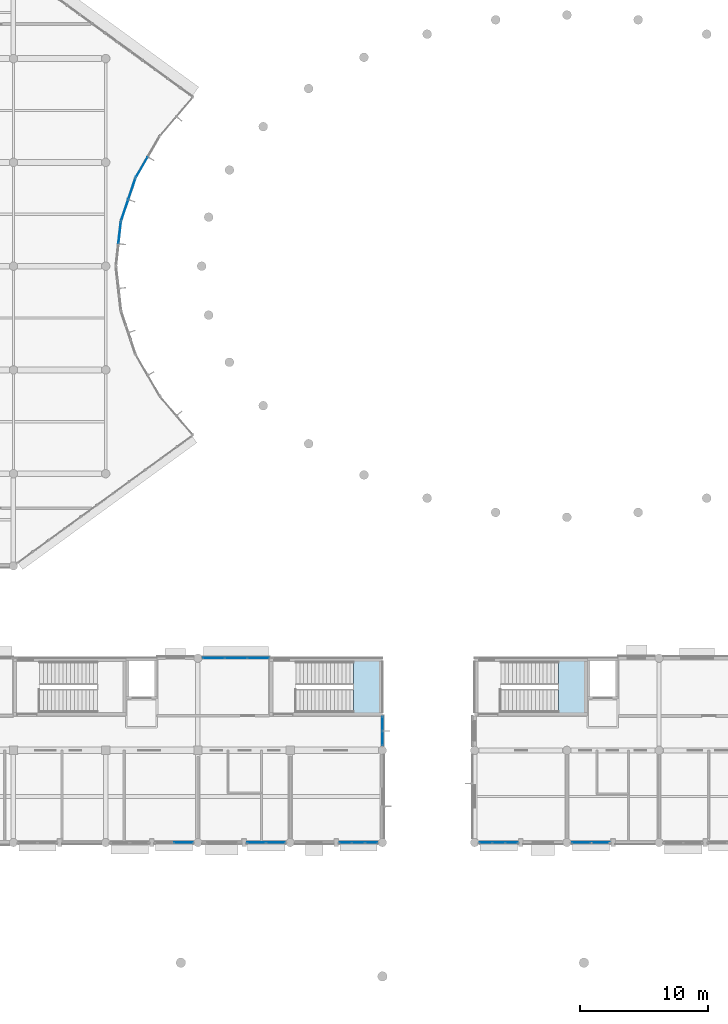
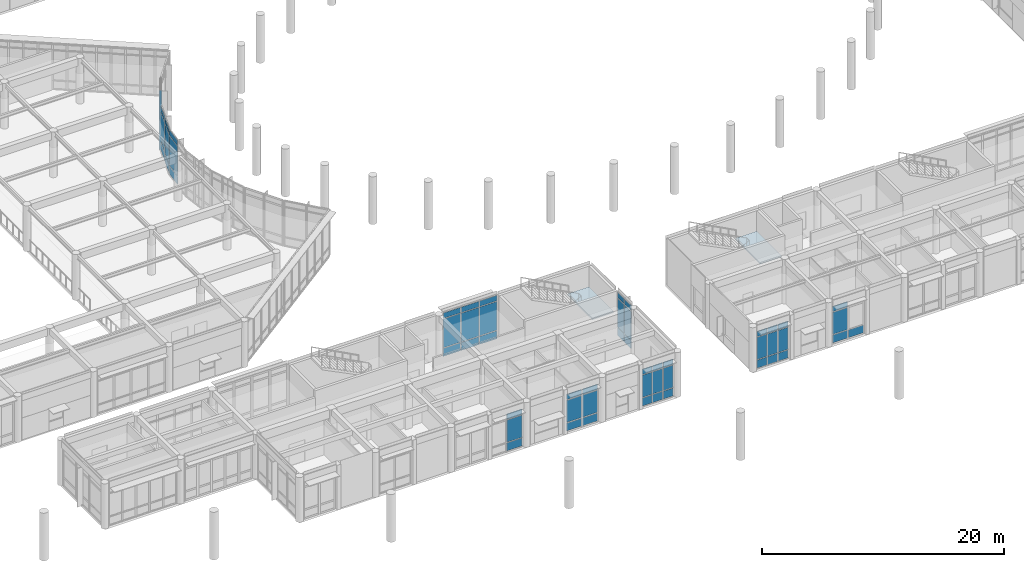
# One storey, part 37 of 92: 58 plates, 2 slabs, 12 elements without a shape of their own.
"""IFC4 building model written with IfcOpenShell, lengths in metres."""

import ifcopenshell
import ifcopenshell.guid

model = None  # the IFC model being written
_history = None  # IfcOwnerHistory: only IFC2X3 demands one
_inside = {}  # id of a spatial element -> (the spatial element, [elements in it])
_under = {}  # id of a project, library or spatial element -> (it, [spatial elements below it])
_declared = {}  # id of a project -> (the project, [libraries it declares])
_typed = {}  # id of a type object -> (the type object, [elements of that type])
_made_of = {}  # id of a material, layer set ... -> (it, [elements and type objects made of it])


def new_model(schema):
    """Start an empty IFC model of exactly this schema.

    Asked for "IFC4X3", IfcOpenShell would pick the latest addendum, in which some entities
    have other attributes; the version numbers below select the first issue.
    IFC2X3 requires an IfcOwnerHistory on every rooted entity: one is made here for all.
    """
    global model, _history
    if schema == "IFC4X3":
        model = ifcopenshell.file(schema_version=(4, 3, 0, 0))
    else:
        model = ifcopenshell.file(schema=schema)
    _inside.clear()
    _under.clear()
    _declared.clear()
    _typed.clear()
    _made_of.clear()
    _history = None
    if model.schema == "IFC2X3":
        org = make("IfcOrganization", Name="unknown")
        user = make(
            "IfcPersonAndOrganization",
            ThePerson=make("IfcPerson", FamilyName="unknown"),
            TheOrganization=org,
        )
        app = make(
            "IfcApplication",
            ApplicationDeveloper=org,
            Version="unknown",
            ApplicationFullName="unknown",
            ApplicationIdentifier="unknown",
        )
        _history = make(
            "IfcOwnerHistory",
            OwningUser=user,
            OwningApplication=app,
            ChangeAction="ADDED",
            CreationDate=0,
        )
    return model


def make(cls, **values):
    """One entity of the class cls with the attributes given. An attribute that is None is left unset."""
    return model.create_entity(
        cls, **{name: value for name, value in values.items() if value is not None}
    )


def rooted(cls, **values):
    """An entity with a GlobalId (a new one), such as an element, a storey or a relation."""
    return make(cls, GlobalId=ifcopenshell.guid.new(), OwnerHistory=_history, **values)


def si_unit(unit_type, name, prefix=None):
    """IfcSIUnit, for example si_unit("LENGTHUNIT", "METRE", prefix="MILLI")."""
    return make("IfcSIUnit", UnitType=unit_type, Prefix=prefix, Name=name)


def assignment(units):
    """IfcUnitAssignment: the units of a project."""
    return None if units is None else make("IfcUnitAssignment", Units=units)


def point(xyz):
    """IfcCartesianPoint."""
    return None if xyz is None else make("IfcCartesianPoint", Coordinates=xyz)


def direction(xyz):
    """IfcDirection."""
    return None if xyz is None else make("IfcDirection", DirectionRatios=xyz)


def frame(location, z_axis=None, x_axis=None):
    """IfcAxis2Placement3D, a coordinate frame: its origin and axes. An axis left out is left unset."""
    return make(
        "IfcAxis2Placement3D",
        Location=point(location),
        Axis=direction(z_axis),
        RefDirection=direction(x_axis),
    )


def frame_2d(location, x_axis=None):
    """IfcAxis2Placement2D, a coordinate frame in the plane: its origin and x axis."""
    return make(
        "IfcAxis2Placement2D", Location=point(location), RefDirection=direction(x_axis)
    )


def origin():
    """The frame at (0, 0, 0) with its axes left unset."""
    return frame((0.0, 0.0, 0.0))


def origin_2d():
    """The frame at (0, 0) in the plane with its x axis left unset."""
    return frame_2d((0.0, 0.0))


def place(relative_to, where):
    """IfcLocalPlacement: puts the frame where relative to a parent placement (None: the world)."""
    return make(
        "IfcLocalPlacement", PlacementRelTo=relative_to, RelativePlacement=where
    )


def context(
    kind, dimensions, precision=None, world=None, true_north=None, identifier=None
):
    """IfcGeometricRepresentationContext, for example the 3D "Model" context."""
    return make(
        "IfcGeometricRepresentationContext",
        ContextIdentifier=identifier,
        ContextType=kind,
        CoordinateSpaceDimension=dimensions,
        Precision=precision,
        WorldCoordinateSystem=world,
        TrueNorth=true_north,
    )


def subcontext(parent, identifier, kind, view, scale=None):
    """IfcGeometricRepresentationSubContext, for example "Body" below "Model"."""
    return make(
        "IfcGeometricRepresentationSubContext",
        ContextIdentifier=identifier,
        ContextType=kind,
        ParentContext=parent,
        TargetScale=scale,
        TargetView=view,
    )


def project(units=None, contexts=None):
    """IfcProject with its units and contexts."""
    return rooted(
        "IfcProject",
        Name="project",
        RepresentationContexts=contexts,
        UnitsInContext=assignment(units),
    )


def spatial(cls, under=None, at=None, **own):
    """A site, building, storey or space (cls), placed at a placement, below another one or the project."""
    s = rooted(cls, ObjectPlacement=at, **own)
    if under is not None:
        _under.setdefault(under.id(), (under, []))[1].append(s)
    return s


def polyline(points):
    """IfcPolyline through the points."""
    return make("IfcPolyline", Points=[point(p) for p in points])


def profile(cls, at=None, kind="AREA", **sizes):
    """A parametric profile (cls). Its sizes go by their IFC names, for example OverallWidth=200.0."""
    return make(cls, ProfileType=kind, Position=at, **sizes)


def rectangle(**sizes):
    """IfcRectangleProfileDef."""
    return profile("IfcRectangleProfileDef", **sizes)


def outline(outer, holes=None, kind="AREA"):
    """IfcArbitraryClosedProfileDef: a profile drawn as a closed curve; with holes, ...WithVoids."""
    if holes is None:
        return make("IfcArbitraryClosedProfileDef", ProfileType=kind, OuterCurve=outer)
    return make(
        "IfcArbitraryProfileDefWithVoids",
        ProfileType=kind,
        OuterCurve=outer,
        InnerCurves=holes,
    )


def extrude(swept, where, along, depth):
    """IfcExtrudedAreaSolid: the profile swept, set in the frame where, extruded along a direction by depth."""
    return make(
        "IfcExtrudedAreaSolid",
        SweptArea=swept,
        Position=where,
        ExtrudedDirection=direction(along),
        Depth=depth,
    )


def shape(context_of_items, identifier, shape_type, items):
    """IfcShapeRepresentation: the items that make up one representation, for example the "Body"."""
    return make(
        "IfcShapeRepresentation",
        ContextOfItems=context_of_items,
        RepresentationIdentifier=identifier,
        RepresentationType=shape_type,
        Items=items,
    )


def material(Name=None, Category=None):
    """IfcMaterial."""
    return make("IfcMaterial", Name=Name, Category=Category)


def layer(
    of_material, thickness, ventilated=None, Name=None, Category=None, Priority=None
):
    """IfcMaterialLayer: one layer of a wall or slab, of a material (None: an air gap)."""
    return make(
        "IfcMaterialLayer",
        Material=of_material,
        LayerThickness=thickness,
        IsVentilated=ventilated,
        Name=Name,
        Category=Category,
        Priority=Priority,
    )


def layer_set(layers, Name=None):
    """IfcMaterialLayerSet."""
    return make("IfcMaterialLayerSet", MaterialLayers=layers, LayerSetName=Name)


def made_of(thing, what):
    """Note that an element or type object is made of a material, layer set ...; save() writes the relation."""
    if what is not None:
        _made_of.setdefault(what.id(), (what, []))[1].append(thing)
    return thing


def type_object(cls, material=None, **own):
    """A type object (cls), such as IfcWallType, which elements share."""
    return made_of(rooted(cls, **own), material)


def element(
    cls,
    number,
    at=None,
    inside=None,
    cuts=None,
    type_object=None,
    material=None,
    context=None,
    identifier="Body",
    shape_type=None,
    held_by="IfcProductDefinitionShape",
    body=None,
    shapes=None,
    **own,
):
    """One element of the class cls, such as IfcWall. Its Tag is "e" and its number.

    at: its placement. inside: the storey or other place that contains it. cuts: it is an
    opening in that element (IfcRelVoidsElement). A single representation is given by context,
    identifier, shape_type and body (its items); several are given by shapes. held_by: the class
    of the entity that holds the representations. save() writes the other relations.
    """
    e = rooted(cls, Tag="e%d" % number, ObjectPlacement=at, **own)
    if body is not None:
        shapes = [shape(context, identifier, shape_type, body)]
    if shapes is not None:
        e.Representation = make(held_by, Representations=shapes)
    if inside is not None:
        _inside.setdefault(inside.id(), (inside, []))[1].append(e)
    if cuts is not None:
        rooted(
            "IfcRelVoidsElement", RelatingBuildingElement=cuts, RelatedOpeningElement=e
        )
    if type_object is not None:
        _typed.setdefault(type_object.id(), (type_object, []))[1].append(e)
    return made_of(e, material)


def aggregate(whole, parts):
    """IfcRelAggregates: a whole, such as a stair, and the parts it consists of."""
    return rooted("IfcRelAggregates", RelatingObject=whole, RelatedObjects=parts)


def save(model, path):
    """Write the relations noted so far, then the file.

    IfcRelAggregates (storeys below a building ...), IfcRelContainedInSpatialStructure (elements
    in a storey), IfcRelDefinesByType, IfcRelAssociatesMaterial and IfcRelDeclares: one each for
    every whole, place, type object, material and project.
    """
    for whole, parts in _under.values():
        aggregate(whole, parts)
    for where, things in _inside.values():
        rooted(
            "IfcRelContainedInSpatialStructure",
            RelatedElements=things,
            RelatingStructure=where,
        )
    for kind, things in _typed.values():
        rooted("IfcRelDefinesByType", RelatedObjects=things, RelatingType=kind)
    for what, things in _made_of.values():
        rooted("IfcRelAssociatesMaterial", RelatedObjects=things, RelatingMaterial=what)
    for by, libraries in _declared.values():
        rooted("IfcRelDeclares", RelatingContext=by, RelatedDefinitions=libraries)
    model.write(path)


model = new_model("IFC4")

# Units and contexts
model_context = context("Model", 3, precision=1e-05, world=origin(), true_north=direction((0.0, 1.0)))
body_context = subcontext(model_context, "Body", "Model", "MODEL_VIEW")
ifc_project = project(units=[si_unit("LENGTHUNIT", "METRE"), si_unit("AREAUNIT", "SQUARE_METRE"), si_unit("VOLUMEUNIT", "CUBIC_METRE"), si_unit("PLANEANGLEUNIT", "RADIAN"), si_unit("MASSUNIT", "GRAM", prefix="KILO")], contexts=[model_context])

# Site, building, storey
site_placement = place(None, origin())
site = spatial("IfcSite", under=ifc_project, at=site_placement, CompositionType="ELEMENT")
building_placement = place(site_placement, origin())
building = spatial("IfcBuilding", under=site, at=building_placement, Name="Namkhue Oval Health Centre", CompositionType="ELEMENT")
storey_placement = place(building_placement, frame((0.0, 0.0, 4.800048828125)))
storey = spatial("IfcBuildingStorey", under=building, at=storey_placement, Name="L01", CompositionType="ELEMENT", Elevation=4.800048828125)

# Curtain wall, plates
ifc_material_1 = material(Name="Anodised aluminium EN AW-6063 T6", Category="aluminium")
ifc_layer_1 = layer(ifc_material_1, 0.159912109375)
ifc_layer_set_1 = layer_set([ifc_layer_1], Name="Anodised aluminium EN AW-6063 T6")
curtain_wall_type_1 = type_object("IfcCurtainWallType", Name="UNITISED CURTAIN WALL M1800", PredefinedType="NOTDEFINED", material=ifc_layer_set_1)
curtain_wall_1_placement = place(storey_placement, origin())
curtain_wall_1 = element("IfcCurtainWall", 1, at=curtain_wall_1_placement, inside=storey, type_object=curtain_wall_type_1, Name="Volume V1 L01 Unitised Curtain Wall 29", PredefinedType="NOTDEFINED")
ifc_material_2 = material(Name="Thermally broken low-E laminated double glazing", Category="glass")
ifc_layer_2 = layer(ifc_material_2, 0.02587890625)
ifc_layer_set_2 = layer_set([ifc_layer_2], Name="Thermally broken low-E laminated double glazing")
plate_type_1 = type_object("IfcPlateType", Name="CURTAIN WALL GLAZED PANEL 26", PredefinedType="CURTAIN_PANEL", material=ifc_layer_set_2)
plate_1_placement = place(storey_placement, frame((67.618896484375, 67.129150390625, 0.06494140625), z_axis=(0.0, 0.0, 1.0), x_axis=(0.501757798896, 0.865008156752, 0.0)))
plate_1 = element("IfcPlate", 2, at=plate_1_placement, type_object=plate_type_1, Name="CW-05 panel 1.1", PredefinedType="CURTAIN_PANEL", context=body_context, shape_type="SweptSolid", body=[
    extrude(rectangle(XDim=1.786865234375, YDim=0.02587890625, at=origin_2d()), origin(), (0.0, 0.0, 1.0), 0.802490234375),
])
plate_2_placement = place(storey_placement, frame((67.618896484375, 67.129150390625, 0.9326171875), z_axis=(0.0, 0.0, 1.0), x_axis=(0.501757798896, 0.865008156752, 0.0)))
plate_2 = element("IfcPlate", 3, at=plate_2_placement, type_object=plate_type_1, Name="CW-05 panel 1.2", PredefinedType="CURTAIN_PANEL", context=body_context, shape_type="SweptSolid", body=[
    extrude(rectangle(XDim=1.786865234375, YDim=0.02587890625, at=origin_2d()), origin(), (0.0, 0.0, 1.0), 2.985107421875),
])
plate_3_placement = place(storey_placement, frame((67.618896484375, 67.129150390625, 3.982421875), z_axis=(0.0, 0.0, 1.0), x_axis=(0.501757798896, 0.865008156752, 0.0)))
plate_3 = element("IfcPlate", 4, at=plate_3_placement, type_object=plate_type_1, Name="CW-05 panel 1.3", PredefinedType="CURTAIN_PANEL", context=body_context, shape_type="SweptSolid", body=[
    extrude(rectangle(XDim=1.786865234375, YDim=0.02587890625, at=origin_2d()), origin(), (0.0, 0.0, 1.0), 0.552490234375),
])
aggregate(curtain_wall_1, [plate_1, plate_2, plate_3])

curtain_wall_2_placement = place(storey_placement, origin())
curtain_wall_2 = element("IfcCurtainWall", 5, at=curtain_wall_2_placement, inside=storey, type_object=curtain_wall_type_1, Name="Volume V4 L01 Unitised Curtain Wall 149", PredefinedType="NOTDEFINED")
plate_4_placement = place(storey_placement, frame((70.87890625, 14.39990234375, 0.06494140625), z_axis=(0.0, 0.0, 1.0), x_axis=(1.0, 0.0, 0.0)))
plate_4 = element("IfcPlate", 6, at=plate_4_placement, type_object=plate_type_1, Name="CW-05 panel 2.1", PredefinedType="CURTAIN_PANEL", context=body_context, shape_type="SweptSolid", body=[
    extrude(rectangle(XDim=1.44189453125, YDim=0.02587890625, at=origin_2d()), origin(), (0.0, 0.0, 1.0), 0.802490234375),
])
plate_5_placement = place(storey_placement, frame((70.87890625, 14.39990234375, 0.9326171875), z_axis=(0.0, 0.0, 1.0), x_axis=(1.0, 0.0, 0.0)))
plate_5 = element("IfcPlate", 7, at=plate_5_placement, type_object=plate_type_1, Name="CW-05 panel 2.2", PredefinedType="CURTAIN_PANEL", context=body_context, shape_type="SweptSolid", body=[
    extrude(rectangle(XDim=1.44189453125, YDim=0.02587890625, at=origin_2d()), origin(), (0.0, 0.0, 1.0), 2.239990234375),
])
plate_6_placement = place(storey_placement, frame((70.87890625, 14.39990234375, 3.2373046875), z_axis=(0.0, 0.0, 1.0), x_axis=(1.0, 0.0, 0.0)))
plate_6 = element("IfcPlate", 8, at=plate_6_placement, type_object=plate_type_1, Name="CW-05 panel 2.3", PredefinedType="CURTAIN_PANEL", context=body_context, shape_type="SweptSolid", body=[
    extrude(rectangle(XDim=1.44189453125, YDim=0.02587890625, at=origin_2d()), origin(), (0.0, 0.0, 1.0), 0.552490234375),
])
aggregate(curtain_wall_2, [plate_4, plate_5, plate_6])

ifc_layer_3 = layer(ifc_material_1, 0.159912109375)
ifc_layer_set_3 = layer_set([ifc_layer_3], Name="Anodised aluminium EN AW-6063 T6")
curtain_wall_type_2 = type_object("IfcCurtainWallType", Name="UNITISED CURTAIN WALL M1500", PredefinedType="NOTDEFINED", material=ifc_layer_set_3)
curtain_wall_3_placement = place(storey_placement, origin())
curtain_wall_3 = element("IfcCurtainWall", 9, at=curtain_wall_3_placement, inside=storey, type_object=curtain_wall_type_2, Name="Volume V4 L01 Unitised Curtain Wall 153", PredefinedType="NOTDEFINED")
plate_7_placement = place(storey_placement, frame((76.692138671875, 28.800048828125, 0.06494140625), z_axis=(0.0, 0.0, 1.0), x_axis=(-1.0, 0.0, 0.0)))
plate_7 = element("IfcPlate", 10, at=plate_7_placement, type_object=plate_type_1, Name="CW-03 panel 1.1", PredefinedType="CURTAIN_PANEL", context=body_context, shape_type="SweptSolid", body=[
    extrude(rectangle(XDim=1.65185546875, YDim=0.02587890625, at=origin_2d()), origin(), (0.0, 0.0, 1.0), 0.802490234375),
])
plate_8_placement = place(storey_placement, frame((76.692138671875, 28.800048828125, 0.9326171875), z_axis=(0.0, 0.0, 1.0), x_axis=(-1.0, 0.0, 0.0)))
plate_8 = element("IfcPlate", 11, at=plate_8_placement, type_object=plate_type_1, Name="CW-03 panel 1.2", PredefinedType="CURTAIN_PANEL", context=body_context, shape_type="SweptSolid", body=[
    extrude(rectangle(XDim=1.65185546875, YDim=0.02587890625, at=origin_2d()), origin(), (0.0, 0.0, 1.0), 2.889892578125),
])
plate_9_placement = place(storey_placement, frame((76.692138671875, 28.800048828125, 3.8876953125), z_axis=(0.0, 0.0, 1.0), x_axis=(-1.0, 0.0, 0.0)))
plate_9 = element("IfcPlate", 12, at=plate_9_placement, type_object=plate_type_1, Name="CW-03 panel 1.3", PredefinedType="CURTAIN_PANEL", context=body_context, shape_type="SweptSolid", body=[
    extrude(rectangle(XDim=1.65185546875, YDim=0.02587890625, at=origin_2d()), origin(), (0.0, 0.0, 1.0), 0.552490234375),
])
plate_10_placement = place(storey_placement, frame((74.958984375, 28.800048828125, 0.06494140625), z_axis=(0.0, 0.0, 1.0), x_axis=(-1.0, 0.0, 0.0)))
plate_10 = element("IfcPlate", 13, at=plate_10_placement, type_object=plate_type_1, Name="CW-03 panel 2.1", PredefinedType="CURTAIN_PANEL", context=body_context, shape_type="SweptSolid", body=[
    extrude(rectangle(XDim=1.684326171875, YDim=0.02587890625, at=origin_2d()), origin(), (0.0, 0.0, 1.0), 0.802490234375),
])
plate_11_placement = place(storey_placement, frame((74.958984375, 28.800048828125, 0.9326171875), z_axis=(0.0, 0.0, 1.0), x_axis=(-1.0, 0.0, 0.0)))
plate_11 = element("IfcPlate", 14, at=plate_11_placement, type_object=plate_type_1, Name="CW-03 panel 2.2", PredefinedType="CURTAIN_PANEL", context=body_context, shape_type="SweptSolid", body=[
    extrude(rectangle(XDim=1.684326171875, YDim=0.02587890625, at=origin_2d()), origin(), (0.0, 0.0, 1.0), 2.889892578125),
])
plate_12_placement = place(storey_placement, frame((74.958984375, 28.800048828125, 3.8876953125), z_axis=(0.0, 0.0, 1.0), x_axis=(-1.0, 0.0, 0.0)))
plate_12 = element("IfcPlate", 15, at=plate_12_placement, type_object=plate_type_1, Name="CW-03 panel 2.3", PredefinedType="CURTAIN_PANEL", context=body_context, shape_type="SweptSolid", body=[
    extrude(rectangle(XDim=1.684326171875, YDim=0.02587890625, at=origin_2d()), origin(), (0.0, 0.0, 1.0), 0.552490234375),
])
plate_13_placement = place(storey_placement, frame((73.225830078125, 28.800048828125, 0.06494140625), z_axis=(0.0, 0.0, 1.0), x_axis=(-1.0, 0.0, 0.0)))
plate_13 = element("IfcPlate", 16, at=plate_13_placement, type_object=plate_type_1, Name="CW-03 panel 3.1", PredefinedType="CURTAIN_PANEL", context=body_context, shape_type="SweptSolid", body=[
    extrude(rectangle(XDim=1.65185546875, YDim=0.02587890625, at=origin_2d()), origin(), (0.0, 0.0, 1.0), 0.802490234375),
])
plate_14_placement = place(storey_placement, frame((73.225830078125, 28.800048828125, 0.9326171875), z_axis=(0.0, 0.0, 1.0), x_axis=(-1.0, 0.0, 0.0)))
plate_14 = element("IfcPlate", 17, at=plate_14_placement, type_object=plate_type_1, Name="CW-03 panel 3.2", PredefinedType="CURTAIN_PANEL", context=body_context, shape_type="SweptSolid", body=[
    extrude(rectangle(XDim=1.65185546875, YDim=0.02587890625, at=origin_2d()), origin(), (0.0, 0.0, 1.0), 2.889892578125),
])
plate_15_placement = place(storey_placement, frame((73.225830078125, 28.800048828125, 3.8876953125), z_axis=(0.0, 0.0, 1.0), x_axis=(-1.0, 0.0, 0.0)))
plate_15 = element("IfcPlate", 18, at=plate_15_placement, type_object=plate_type_1, Name="CW-03 panel 3.3", PredefinedType="CURTAIN_PANEL", context=body_context, shape_type="SweptSolid", body=[
    extrude(rectangle(XDim=1.65185546875, YDim=0.02587890625, at=origin_2d()), origin(), (0.0, 0.0, 1.0), 0.552490234375),
])
aggregate(curtain_wall_3, [plate_7, plate_8, plate_9, plate_10, plate_11, plate_12, plate_13, plate_14, plate_15])

ifc_layer_4 = layer(ifc_material_1, 0.159912109375)
ifc_layer_set_4 = layer_set([ifc_layer_4], Name="Anodised aluminium EN AW-6063 T6")
curtain_wall_type_3 = type_object("IfcCurtainWallType", Name="UNITISED CURTAIN WALL M2000", PredefinedType="NOTDEFINED", material=ifc_layer_set_4)
curtain_wall_4_placement = place(storey_placement, origin())
curtain_wall_4 = element("IfcCurtainWall", 19, at=curtain_wall_4_placement, inside=storey, type_object=curtain_wall_type_3, Name="Volume V4 L01 Unitised Curtain Wall 150", PredefinedType="NOTDEFINED")
ifc_layer_5 = layer(ifc_material_2, 0.028076171875)
ifc_layer_set_5 = layer_set([ifc_layer_5], Name="Thermally broken low-E laminated double glazing")
plate_type_2 = type_object("IfcPlateType", Name="CURTAIN WALL GLAZED PANEL 28", PredefinedType="CURTAIN_PANEL", material=ifc_layer_set_5)
plate_16_placement = place(storey_placement, frame((76.574462890625, 14.39990234375, 0.074951171875), z_axis=(0.0, 0.0, 1.0), x_axis=(1.0, 0.0, 0.0)))
plate_16 = element("IfcPlate", 20, at=plate_16_placement, type_object=plate_type_2, Name="CW-06 panel 1.1", PredefinedType="CURTAIN_PANEL", context=body_context, shape_type="SweptSolid", body=[
    extrude(rectangle(XDim=1.427001953125, YDim=0.028076171875, at=origin_2d()), origin(), (0.0, 0.0, 1.0), 0.78759765625),
])
plate_17_placement = place(storey_placement, frame((76.574462890625, 14.39990234375, 0.9375), z_axis=(0.0, 0.0, 1.0), x_axis=(1.0, 0.0, 0.0)))
plate_17 = element("IfcPlate", 21, at=plate_17_placement, type_object=plate_type_2, Name="CW-06 panel 1.2", PredefinedType="CURTAIN_PANEL", context=body_context, shape_type="SweptSolid", body=[
    extrude(rectangle(XDim=1.427001953125, YDim=0.028076171875, at=origin_2d()), origin(), (0.0, 0.0, 1.0), 2.22998046875),
])
plate_18_placement = place(storey_placement, frame((76.574462890625, 14.39990234375, 3.242431640625), z_axis=(0.0, 0.0, 1.0), x_axis=(1.0, 0.0, 0.0)))
plate_18 = element("IfcPlate", 22, at=plate_18_placement, type_object=plate_type_2, Name="CW-06 panel 1.3", PredefinedType="CURTAIN_PANEL", context=body_context, shape_type="SweptSolid", body=[
    extrude(rectangle(XDim=1.427001953125, YDim=0.028076171875, at=origin_2d()), origin(), (0.0, 0.0, 1.0), 0.53759765625),
])
plate_19_placement = place(storey_placement, frame((78.076416015625, 14.39990234375, 0.074951171875), z_axis=(0.0, 0.0, 1.0), x_axis=(1.0, 0.0, 0.0)))
plate_19 = element("IfcPlate", 23, at=plate_19_placement, type_object=plate_type_2, Name="CW-06 panel 2.1", PredefinedType="CURTAIN_PANEL", context=body_context, shape_type="SweptSolid", body=[
    extrude(rectangle(XDim=1.427001953125, YDim=0.028076171875, at=origin_2d()), origin(), (0.0, 0.0, 1.0), 0.78759765625),
])
plate_20_placement = place(storey_placement, frame((78.076416015625, 14.39990234375, 0.9375), z_axis=(0.0, 0.0, 1.0), x_axis=(1.0, 0.0, 0.0)))
plate_20 = element("IfcPlate", 24, at=plate_20_placement, type_object=plate_type_2, Name="CW-06 panel 2.2", PredefinedType="CURTAIN_PANEL", context=body_context, shape_type="SweptSolid", body=[
    extrude(rectangle(XDim=1.427001953125, YDim=0.028076171875, at=origin_2d()), origin(), (0.0, 0.0, 1.0), 2.22998046875),
])
plate_21_placement = place(storey_placement, frame((78.076416015625, 14.39990234375, 3.242431640625), z_axis=(0.0, 0.0, 1.0), x_axis=(1.0, 0.0, 0.0)))
plate_21 = element("IfcPlate", 25, at=plate_21_placement, type_object=plate_type_2, Name="CW-06 panel 2.3", PredefinedType="CURTAIN_PANEL", context=body_context, shape_type="SweptSolid", body=[
    extrude(rectangle(XDim=1.427001953125, YDim=0.028076171875, at=origin_2d()), origin(), (0.0, 0.0, 1.0), 0.53759765625),
])
aggregate(curtain_wall_4, [plate_16, plate_17, plate_18, plate_19, plate_20, plate_21])

curtain_wall_5_placement = place(storey_placement, origin())
curtain_wall_5 = element("IfcCurtainWall", 26, at=curtain_wall_5_placement, inside=storey, type_object=curtain_wall_type_2, Name="Volume V1 L01 Unitised Curtain Wall 27", PredefinedType="NOTDEFINED")
ifc_material_3 = material(Name="Insulated anodised aluminium spandrel panel", Category="aluminium")
ifc_layer_6 = layer(ifc_material_3, 0.031982421875)
ifc_layer_set_6 = layer_set([ifc_layer_6], Name="Insulated anodised aluminium spandrel panel")
plate_type_3 = type_object("IfcPlateType", Name="CURTAIN WALL SPANDREL PANEL 32", PredefinedType="CURTAIN_PANEL", material=ifc_layer_set_6)
plate_22_placement = place(storey_placement, frame((65.888427734375, 61.999755859375, 0.06494140625), z_axis=(0.0, 0.0, 1.0), x_axis=(0.110275150425, 0.993901097292, 0.0)))
plate_22 = element("IfcPlate", 27, at=plate_22_placement, type_object=plate_type_3, Name="CW-03 panel 2.1", PredefinedType="CURTAIN_PANEL", context=body_context, shape_type="SweptSolid", body=[
    extrude(rectangle(XDim=1.6572265625, YDim=0.031982421875, at=origin_2d()), origin(), (0.0, 0.0, 1.0), 0.802490234375),
])
plate_23_placement = place(storey_placement, frame((65.888427734375, 61.999755859375, 0.9326171875), z_axis=(0.0, 0.0, 1.0), x_axis=(0.110275150425, 0.993901097292, 0.0)))
plate_23 = element("IfcPlate", 28, at=plate_23_placement, type_object=plate_type_3, Name="CW-03 panel 2.2", PredefinedType="CURTAIN_PANEL", context=body_context, shape_type="SweptSolid", body=[
    extrude(rectangle(XDim=1.6572265625, YDim=0.031982421875, at=origin_2d()), origin(), (0.0, 0.0, 1.0), 2.985107421875),
])
plate_24_placement = place(storey_placement, frame((65.888427734375, 61.999755859375, 3.982421875), z_axis=(0.0, 0.0, 1.0), x_axis=(0.110275150425, 0.993901097292, 0.0)))
plate_24 = element("IfcPlate", 29, at=plate_24_placement, type_object=plate_type_3, Name="CW-03 panel 2.3", PredefinedType="CURTAIN_PANEL", context=body_context, shape_type="SweptSolid", body=[
    extrude(rectangle(XDim=1.6572265625, YDim=0.031982421875, at=origin_2d()), origin(), (0.0, 0.0, 1.0), 0.552490234375),
])
aggregate(curtain_wall_5, [plate_22, plate_23, plate_24])

ifc_layer_7 = layer(ifc_material_1, 0.159912109375)
ifc_layer_set_7 = layer_set([ifc_layer_7], Name="Anodised aluminium EN AW-6063 T6")
curtain_wall_type_4 = type_object("IfcCurtainWallType", Name="UNITISED CURTAIN WALL M1200", PredefinedType="NOTDEFINED", material=ifc_layer_set_7)
curtain_wall_6_placement = place(storey_placement, origin())
curtain_wall_6 = element("IfcCurtainWall", 30, at=curtain_wall_6_placement, inside=storey, type_object=curtain_wall_type_4, Name="Volume V4 L01 Unitised Curtain Wall 151", PredefinedType="NOTDEFINED")
plate_25_placement = place(storey_placement, frame((83.515380859375, 14.39990234375, 0.06494140625), z_axis=(0.0, 0.0, 1.0), x_axis=(1.0, 0.0, 0.0)))
plate_25 = element("IfcPlate", 31, at=plate_25_placement, type_object=plate_type_3, Name="CW-01 panel 1.1", PredefinedType="CURTAIN_PANEL", context=body_context, shape_type="SweptSolid", body=[
    extrude(rectangle(XDim=0.928955078125, YDim=0.031982421875, at=origin_2d()), origin(), (0.0, 0.0, 1.0), 0.802490234375),
])
plate_26_placement = place(storey_placement, frame((83.515380859375, 14.39990234375, 0.9326171875), z_axis=(0.0, 0.0, 1.0), x_axis=(1.0, 0.0, 0.0)))
plate_26 = element("IfcPlate", 32, at=plate_26_placement, type_object=plate_type_3, Name="CW-01 panel 1.2", PredefinedType="CURTAIN_PANEL", context=body_context, shape_type="SweptSolid", body=[
    extrude(rectangle(XDim=0.928955078125, YDim=0.031982421875, at=origin_2d()), origin(), (0.0, 0.0, 1.0), 2.239990234375),
])
plate_27_placement = place(storey_placement, frame((83.515380859375, 14.39990234375, 3.2373046875), z_axis=(0.0, 0.0, 1.0), x_axis=(1.0, 0.0, 0.0)))
plate_27 = element("IfcPlate", 33, at=plate_27_placement, type_object=plate_type_3, Name="CW-01 panel 1.3", PredefinedType="CURTAIN_PANEL", context=body_context, shape_type="SweptSolid", body=[
    extrude(rectangle(XDim=0.928955078125, YDim=0.031982421875, at=origin_2d()), origin(), (0.0, 0.0, 1.0), 0.552490234375),
])
plate_28_placement = place(storey_placement, frame((84.525390625, 14.39990234375, 0.06494140625), z_axis=(0.0, 0.0, 1.0), x_axis=(1.0, 0.0, 0.0)))
plate_28 = element("IfcPlate", 34, at=plate_28_placement, type_object=plate_type_3, Name="CW-01 panel 2.1", PredefinedType="CURTAIN_PANEL", context=body_context, shape_type="SweptSolid", body=[
    extrude(rectangle(XDim=0.96142578125, YDim=0.031982421875, at=origin_2d()), origin(), (0.0, 0.0, 1.0), 0.802490234375),
])
plate_29_placement = place(storey_placement, frame((84.525390625, 14.39990234375, 0.9326171875), z_axis=(0.0, 0.0, 1.0), x_axis=(1.0, 0.0, 0.0)))
plate_29 = element("IfcPlate", 35, at=plate_29_placement, type_object=plate_type_3, Name="CW-01 panel 2.2", PredefinedType="CURTAIN_PANEL", context=body_context, shape_type="SweptSolid", body=[
    extrude(rectangle(XDim=0.96142578125, YDim=0.031982421875, at=origin_2d()), origin(), (0.0, 0.0, 1.0), 2.239990234375),
])
plate_30_placement = place(storey_placement, frame((84.525390625, 14.39990234375, 3.2373046875), z_axis=(0.0, 0.0, 1.0), x_axis=(1.0, 0.0, 0.0)))
plate_30 = element("IfcPlate", 36, at=plate_30_placement, type_object=plate_type_3, Name="CW-01 panel 2.3", PredefinedType="CURTAIN_PANEL", context=body_context, shape_type="SweptSolid", body=[
    extrude(rectangle(XDim=0.96142578125, YDim=0.031982421875, at=origin_2d()), origin(), (0.0, 0.0, 1.0), 0.552490234375),
])
plate_31_placement = place(storey_placement, frame((85.53564453125, 14.39990234375, 0.06494140625), z_axis=(0.0, 0.0, 1.0), x_axis=(1.0, 0.0, 0.0)))
plate_31 = element("IfcPlate", 37, at=plate_31_placement, type_object=plate_type_3, Name="CW-01 panel 3.1", PredefinedType="CURTAIN_PANEL", context=body_context, shape_type="SweptSolid", body=[
    extrude(rectangle(XDim=0.928955078125, YDim=0.031982421875, at=origin_2d()), origin(), (0.0, 0.0, 1.0), 0.802490234375),
])
plate_32_placement = place(storey_placement, frame((85.53564453125, 14.39990234375, 0.9326171875), z_axis=(0.0, 0.0, 1.0), x_axis=(1.0, 0.0, 0.0)))
plate_32 = element("IfcPlate", 38, at=plate_32_placement, type_object=plate_type_3, Name="CW-01 panel 3.2", PredefinedType="CURTAIN_PANEL", context=body_context, shape_type="SweptSolid", body=[
    extrude(rectangle(XDim=0.928955078125, YDim=0.031982421875, at=origin_2d()), origin(), (0.0, 0.0, 1.0), 2.239990234375),
])
plate_33_placement = place(storey_placement, frame((85.53564453125, 14.39990234375, 3.2373046875), z_axis=(0.0, 0.0, 1.0), x_axis=(1.0, 0.0, 0.0)))
plate_33 = element("IfcPlate", 39, at=plate_33_placement, type_object=plate_type_3, Name="CW-01 panel 3.3", PredefinedType="CURTAIN_PANEL", context=body_context, shape_type="SweptSolid", body=[
    extrude(rectangle(XDim=0.928955078125, YDim=0.031982421875, at=origin_2d()), origin(), (0.0, 0.0, 1.0), 0.552490234375),
])
aggregate(curtain_wall_6, [plate_25, plate_26, plate_27, plate_28, plate_29, plate_30, plate_31, plate_32, plate_33])

curtain_wall_7_placement = place(storey_placement, origin())
curtain_wall_7 = element("IfcCurtainWall", 40, at=curtain_wall_7_placement, inside=storey, type_object=curtain_wall_type_4, Name="Volume V5 L01 Unitised Curtain Wall 187", PredefinedType="NOTDEFINED")
plate_34_placement = place(storey_placement, frame((94.46435546875, 14.39990234375, 0.06494140625), z_axis=(0.0, 0.0, 1.0), x_axis=(1.0, 0.0, 0.0)))
plate_34 = element("IfcPlate", 41, at=plate_34_placement, type_object=plate_type_3, Name="CW-01 panel 1.1", PredefinedType="CURTAIN_PANEL", context=body_context, shape_type="SweptSolid", body=[
    extrude(rectangle(XDim=0.928955078125, YDim=0.031982421875, at=origin_2d()), origin(), (0.0, 0.0, 1.0), 0.802490234375),
])
plate_35_placement = place(storey_placement, frame((94.46435546875, 14.39990234375, 0.932373046875), z_axis=(0.0, 0.0, 1.0), x_axis=(1.0, 0.0, 0.0)))
plate_35 = element("IfcPlate", 42, at=plate_35_placement, type_object=plate_type_3, Name="CW-01 panel 1.2", PredefinedType="CURTAIN_PANEL", context=body_context, shape_type="SweptSolid", body=[
    extrude(rectangle(XDim=0.928955078125, YDim=0.031982421875, at=origin_2d()), origin(), (0.0, 0.0, 1.0), 2.22509765625),
])
plate_36_placement = place(storey_placement, frame((94.46435546875, 14.39990234375, 3.22265625), z_axis=(0.0, 0.0, 1.0), x_axis=(1.0, 0.0, 0.0)))
plate_36 = element("IfcPlate", 43, at=plate_36_placement, type_object=plate_type_3, Name="CW-01 panel 1.3", PredefinedType="CURTAIN_PANEL", context=body_context, shape_type="SweptSolid", body=[
    extrude(rectangle(XDim=0.928955078125, YDim=0.031982421875, at=origin_2d()), origin(), (0.0, 0.0, 1.0), 0.552490234375),
])
plate_37_placement = place(storey_placement, frame((95.474609375, 14.39990234375, 0.06494140625), z_axis=(0.0, 0.0, 1.0), x_axis=(1.0, 0.0, 0.0)))
plate_37 = element("IfcPlate", 44, at=plate_37_placement, type_object=plate_type_3, Name="CW-01 panel 2.1", PredefinedType="CURTAIN_PANEL", context=body_context, shape_type="SweptSolid", body=[
    extrude(rectangle(XDim=0.96142578125, YDim=0.031982421875, at=origin_2d()), origin(), (0.0, 0.0, 1.0), 0.802490234375),
])
plate_38_placement = place(storey_placement, frame((95.474609375, 14.39990234375, 0.932373046875), z_axis=(0.0, 0.0, 1.0), x_axis=(1.0, 0.0, 0.0)))
plate_38 = element("IfcPlate", 45, at=plate_38_placement, type_object=plate_type_3, Name="CW-01 panel 2.2", PredefinedType="CURTAIN_PANEL", context=body_context, shape_type="SweptSolid", body=[
    extrude(rectangle(XDim=0.96142578125, YDim=0.031982421875, at=origin_2d()), origin(), (0.0, 0.0, 1.0), 2.22509765625),
])
plate_39_placement = place(storey_placement, frame((95.474609375, 14.39990234375, 3.22265625), z_axis=(0.0, 0.0, 1.0), x_axis=(1.0, 0.0, 0.0)))
plate_39 = element("IfcPlate", 46, at=plate_39_placement, type_object=plate_type_3, Name="CW-01 panel 2.3", PredefinedType="CURTAIN_PANEL", context=body_context, shape_type="SweptSolid", body=[
    extrude(rectangle(XDim=0.96142578125, YDim=0.031982421875, at=origin_2d()), origin(), (0.0, 0.0, 1.0), 0.552490234375),
])
plate_40_placement = place(storey_placement, frame((96.484619140625, 14.39990234375, 0.06494140625), z_axis=(0.0, 0.0, 1.0), x_axis=(1.0, 0.0, 0.0)))
plate_40 = element("IfcPlate", 47, at=plate_40_placement, type_object=plate_type_3, Name="CW-01 panel 3.1", PredefinedType="CURTAIN_PANEL", context=body_context, shape_type="SweptSolid", body=[
    extrude(rectangle(XDim=0.928955078125, YDim=0.031982421875, at=origin_2d()), origin(), (0.0, 0.0, 1.0), 0.802490234375),
])
plate_41_placement = place(storey_placement, frame((96.484619140625, 14.39990234375, 0.932373046875), z_axis=(0.0, 0.0, 1.0), x_axis=(1.0, 0.0, 0.0)))
plate_41 = element("IfcPlate", 48, at=plate_41_placement, type_object=plate_type_3, Name="CW-01 panel 3.2", PredefinedType="CURTAIN_PANEL", context=body_context, shape_type="SweptSolid", body=[
    extrude(rectangle(XDim=0.928955078125, YDim=0.031982421875, at=origin_2d()), origin(), (0.0, 0.0, 1.0), 2.22509765625),
])
plate_42_placement = place(storey_placement, frame((96.484619140625, 14.39990234375, 3.22265625), z_axis=(0.0, 0.0, 1.0), x_axis=(1.0, 0.0, 0.0)))
plate_42 = element("IfcPlate", 49, at=plate_42_placement, type_object=plate_type_3, Name="CW-01 panel 3.3", PredefinedType="CURTAIN_PANEL", context=body_context, shape_type="SweptSolid", body=[
    extrude(rectangle(XDim=0.928955078125, YDim=0.031982421875, at=origin_2d()), origin(), (0.0, 0.0, 1.0), 0.552490234375),
])
aggregate(curtain_wall_7, [plate_34, plate_35, plate_36, plate_37, plate_38, plate_39, plate_40, plate_41, plate_42])

ifc_layer_8 = layer(ifc_material_1, 0.159912109375)
ifc_layer_set_8 = layer_set([ifc_layer_8], Name="Anodised aluminium EN AW-6063 T6")
curtain_wall_type_5 = type_object("IfcCurtainWallType", Name="UNITISED CURTAIN WALL M1600", PredefinedType="NOTDEFINED", material=ifc_layer_set_8)
curtain_wall_8_placement = place(storey_placement, origin())
curtain_wall_8 = element("IfcCurtainWall", 50, at=curtain_wall_8_placement, inside=storey, type_object=curtain_wall_type_5, Name="Volume V1 L01 Unitised Curtain Wall 28", PredefinedType="NOTDEFINED")
ifc_layer_9 = layer(ifc_material_3, 0.035888671875)
ifc_layer_set_9 = layer_set([ifc_layer_9], Name="Insulated anodised aluminium spandrel panel")
plate_type_4 = type_object("IfcPlateType", Name="CURTAIN WALL SPANDREL PANEL 36", PredefinedType="CURTAIN_PANEL", material=ifc_layer_set_9)
plate_43_placement = place(storey_placement, frame((66.28076171875, 63.7587890625, 0.074951171875), z_axis=(0.0, 0.0, 1.0), x_axis=(0.319641520458, 0.947538547184, 0.0)))
plate_43 = element("IfcPlate", 51, at=plate_43_placement, type_object=plate_type_4, Name="CW-04 panel 1.1", PredefinedType="CURTAIN_PANEL", context=body_context, shape_type="SweptSolid", body=[
    extrude(rectangle(XDim=1.68798828125, YDim=0.035888671875, at=origin_2d()), origin(), (0.0, 0.0, 1.0), 0.78759765625),
])
plate_44_placement = place(storey_placement, frame((66.28076171875, 63.7587890625, 0.9375), z_axis=(0.0, 0.0, 1.0), x_axis=(0.319641520458, 0.947538547184, 0.0)))
plate_44 = element("IfcPlate", 52, at=plate_44_placement, type_object=plate_type_4, Name="CW-04 panel 1.2", PredefinedType="CURTAIN_PANEL", context=body_context, shape_type="SweptSolid", body=[
    extrude(rectangle(XDim=1.68798828125, YDim=0.035888671875, at=origin_2d()), origin(), (0.0, 0.0, 1.0), 2.97509765625),
])
plate_45_placement = place(storey_placement, frame((66.28076171875, 63.7587890625, 3.9873046875), z_axis=(0.0, 0.0, 1.0), x_axis=(0.319641520458, 0.947538547184, 0.0)))
plate_45 = element("IfcPlate", 53, at=plate_45_placement, type_object=plate_type_4, Name="CW-04 panel 1.3", PredefinedType="CURTAIN_PANEL", context=body_context, shape_type="SweptSolid", body=[
    extrude(rectangle(XDim=1.68798828125, YDim=0.035888671875, at=origin_2d()), origin(), (0.0, 0.0, 1.0), 0.53759765625),
])
plate_46_placement = place(storey_placement, frame((66.84423828125, 65.42919921875, 0.074951171875), z_axis=(0.0, 0.0, 1.0), x_axis=(0.319641520458, 0.947538547184, 0.0)))
plate_46 = element("IfcPlate", 54, at=plate_46_placement, type_object=plate_type_4, Name="CW-04 panel 2.1", PredefinedType="CURTAIN_PANEL", context=body_context, shape_type="SweptSolid", body=[
    extrude(rectangle(XDim=1.68798828125, YDim=0.035888671875, at=origin_2d()), origin(), (0.0, 0.0, 1.0), 0.78759765625),
])
plate_47_placement = place(storey_placement, frame((66.84423828125, 65.42919921875, 0.9375), z_axis=(0.0, 0.0, 1.0), x_axis=(0.319641520458, 0.947538547184, 0.0)))
plate_47 = element("IfcPlate", 55, at=plate_47_placement, type_object=plate_type_4, Name="CW-04 panel 2.2", PredefinedType="CURTAIN_PANEL", context=body_context, shape_type="SweptSolid", body=[
    extrude(rectangle(XDim=1.68798828125, YDim=0.035888671875, at=origin_2d()), origin(), (0.0, 0.0, 1.0), 2.97509765625),
])
plate_48_placement = place(storey_placement, frame((66.84423828125, 65.42919921875, 3.9873046875), z_axis=(0.0, 0.0, 1.0), x_axis=(0.319641520458, 0.947538547184, 0.0)))
plate_48 = element("IfcPlate", 56, at=plate_48_placement, type_object=plate_type_4, Name="CW-04 panel 2.3", PredefinedType="CURTAIN_PANEL", context=body_context, shape_type="SweptSolid", body=[
    extrude(rectangle(XDim=1.68798828125, YDim=0.035888671875, at=origin_2d()), origin(), (0.0, 0.0, 1.0), 0.53759765625),
])
aggregate(curtain_wall_8, [plate_43, plate_44, plate_45, plate_46, plate_47, plate_48])

ifc_layer_10 = layer(ifc_material_1, 0.159912109375)
ifc_layer_set_10 = layer_set([ifc_layer_10], Name="Anodised aluminium EN AW-6063 T6")
curtain_wall_type_6 = type_object("IfcCurtainWallType", Name="UNITISED CURTAIN WALL M1350", PredefinedType="NOTDEFINED", material=ifc_layer_set_10)
curtain_wall_9_placement = place(storey_placement, origin())
curtain_wall_9 = element("IfcCurtainWall", 57, at=curtain_wall_9_placement, inside=storey, type_object=curtain_wall_type_6, Name="Volume V4 L01 Unitised Curtain Wall 152", PredefinedType="NOTDEFINED")
plate_49_placement = place(storey_placement, frame((86.39990234375, 22.540771484375, 0.074951171875), z_axis=(0.0, 0.0, 1.0), x_axis=(0.0, 1.0, 0.0)))
plate_49 = element("IfcPlate", 58, at=plate_49_placement, type_object=plate_type_4, Name="CW-02 panel 1.1", PredefinedType="CURTAIN_PANEL", context=body_context, shape_type="SweptSolid", body=[
    extrude(rectangle(XDim=1.0615234375, YDim=0.035888671875, at=origin_2d()), origin(), (0.0, 0.0, 1.0), 0.78759765625),
])
plate_50_placement = place(storey_placement, frame((86.39990234375, 22.540771484375, 0.9375), z_axis=(0.0, 0.0, 1.0), x_axis=(0.0, 1.0, 0.0)))
plate_50 = element("IfcPlate", 59, at=plate_50_placement, type_object=plate_type_4, Name="CW-02 panel 1.2", PredefinedType="CURTAIN_PANEL", context=body_context, shape_type="SweptSolid", body=[
    extrude(rectangle(XDim=1.0615234375, YDim=0.035888671875, at=origin_2d()), origin(), (0.0, 0.0, 1.0), 2.8798828125),
])
plate_51_placement = place(storey_placement, frame((86.39990234375, 22.540771484375, 3.892333984375), z_axis=(0.0, 0.0, 1.0), x_axis=(0.0, 1.0, 0.0)))
plate_51 = element("IfcPlate", 60, at=plate_51_placement, type_object=plate_type_4, Name="CW-02 panel 1.3", PredefinedType="CURTAIN_PANEL", context=body_context, shape_type="SweptSolid", body=[
    extrude(rectangle(XDim=1.0615234375, YDim=0.035888671875, at=origin_2d()), origin(), (0.0, 0.0, 1.0), 0.53759765625),
])
plate_52_placement = place(storey_placement, frame((86.39990234375, 23.67724609375, 0.074951171875), z_axis=(0.0, 0.0, 1.0), x_axis=(0.0, 1.0, 0.0)))
plate_52 = element("IfcPlate", 61, at=plate_52_placement, type_object=plate_type_4, Name="CW-02 panel 2.1", PredefinedType="CURTAIN_PANEL", context=body_context, shape_type="SweptSolid", body=[
    extrude(rectangle(XDim=1.0615234375, YDim=0.035888671875, at=origin_2d()), origin(), (0.0, 0.0, 1.0), 0.78759765625),
])
plate_53_placement = place(storey_placement, frame((86.39990234375, 23.67724609375, 0.9375), z_axis=(0.0, 0.0, 1.0), x_axis=(0.0, 1.0, 0.0)))
plate_53 = element("IfcPlate", 62, at=plate_53_placement, type_object=plate_type_4, Name="CW-02 panel 2.2", PredefinedType="CURTAIN_PANEL", context=body_context, shape_type="SweptSolid", body=[
    extrude(rectangle(XDim=1.0615234375, YDim=0.035888671875, at=origin_2d()), origin(), (0.0, 0.0, 1.0), 2.8798828125),
])
plate_54_placement = place(storey_placement, frame((86.39990234375, 23.67724609375, 3.892333984375), z_axis=(0.0, 0.0, 1.0), x_axis=(0.0, 1.0, 0.0)))
plate_54 = element("IfcPlate", 63, at=plate_54_placement, type_object=plate_type_4, Name="CW-02 panel 2.3", PredefinedType="CURTAIN_PANEL", context=body_context, shape_type="SweptSolid", body=[
    extrude(rectangle(XDim=1.0615234375, YDim=0.035888671875, at=origin_2d()), origin(), (0.0, 0.0, 1.0), 0.53759765625),
])
aggregate(curtain_wall_9, [plate_49, plate_50, plate_51, plate_52, plate_53, plate_54])

curtain_wall_10_placement = place(storey_placement, origin())
curtain_wall_10 = element("IfcCurtainWall", 64, at=curtain_wall_10_placement, inside=storey, type_object=curtain_wall_type_6, Name="Volume V5 L01 Unitised Curtain Wall 188", PredefinedType="NOTDEFINED")
plate_55_placement = place(storey_placement, frame((101.923583984375, 14.39990234375, 0.074951171875), z_axis=(0.0, 0.0, 1.0), x_axis=(1.0, 0.0, 0.0)))
plate_55 = element("IfcPlate", 65, at=plate_55_placement, type_object=plate_type_4, Name="CW-02 panel 1.1", PredefinedType="CURTAIN_PANEL", context=body_context, shape_type="SweptSolid", body=[
    extrude(rectangle(XDim=1.427001953125, YDim=0.035888671875, at=origin_2d()), origin(), (0.0, 0.0, 1.0), 0.78759765625),
])
plate_56_placement = place(storey_placement, frame((101.923583984375, 14.39990234375, 0.9375), z_axis=(0.0, 0.0, 1.0), x_axis=(1.0, 0.0, 0.0)))
plate_56 = element("IfcPlate", 66, at=plate_56_placement, type_object=plate_type_4, Name="CW-02 panel 1.2", PredefinedType="CURTAIN_PANEL", context=body_context, shape_type="SweptSolid", body=[
    extrude(rectangle(XDim=1.427001953125, YDim=0.035888671875, at=origin_2d()), origin(), (0.0, 0.0, 1.0), 2.215087890625),
])
plate_57_placement = place(storey_placement, frame((101.923583984375, 14.39990234375, 3.227294921875), z_axis=(0.0, 0.0, 1.0), x_axis=(1.0, 0.0, 0.0)))
plate_57 = element("IfcPlate", 67, at=plate_57_placement, type_object=plate_type_4, Name="CW-02 panel 1.3", PredefinedType="CURTAIN_PANEL", context=body_context, shape_type="SweptSolid", body=[
    extrude(rectangle(XDim=1.427001953125, YDim=0.035888671875, at=origin_2d()), origin(), (0.0, 0.0, 1.0), 0.53759765625),
])
plate_58_placement = place(storey_placement, frame((103.425537109375, 14.39990234375, 0.074951171875), z_axis=(0.0, 0.0, 1.0), x_axis=(1.0, 0.0, 0.0)))
plate_58 = element("IfcPlate", 68, at=plate_58_placement, type_object=plate_type_4, Name="CW-02 panel 2.1", PredefinedType="CURTAIN_PANEL", context=body_context, shape_type="SweptSolid", body=[
    extrude(rectangle(XDim=1.427001953125, YDim=0.035888671875, at=origin_2d()), origin(), (0.0, 0.0, 1.0), 0.78759765625),
])
aggregate(curtain_wall_10, [plate_55, plate_56, plate_57, plate_58])

# Stair, slab
ifc_material_4 = material(Name="Reinforced concrete C30/37 (TCVN B35)", Category="concrete")
stair_type = type_object("IfcStairType", Name="DOGLEG EXIT STAIR H4800", PredefinedType="HALF_TURN_STAIR", material=ifc_material_4)
stair_1_placement = place(storey_placement, origin())
stair_1 = element("IfcStair", 69, at=stair_1_placement, inside=storey, type_object=stair_type, Name="Protected Exit Stair ST-08 L01", PredefinedType="HALF_TURN_STAIR")
ifc_layer_11 = layer(ifc_material_4, 0.179931640625)
ifc_layer_set_11 = layer_set([ifc_layer_11], Name="Reinforced concrete C30/37 (TCVN B35)")
slab_type = type_object("IfcSlabType", Name="STAIR LANDING SLAB 180", PredefinedType="LANDING", material=ifc_layer_set_11)
slab_1_placement = place(storey_placement, frame((0.0, 0.0, 2.219970703125)))
slab_1 = element("IfcSlab", 70, at=slab_1_placement, type_object=slab_type, Name="ST-08 landing 1", PredefinedType="LANDING", context=body_context, shape_type="SweptSolid", body=[
    extrude(outline(polyline([(84.14501953125, 24.52490234375), (86.175048828125, 24.52490234375), (86.175048828125, 28.574951171875), (84.14501953125, 28.574951171875), (84.14501953125, 24.52490234375)])), origin(), (0.0, 0.0, 1.0), 0.179931640625),
])
aggregate(stair_1, [slab_1])

stair_2_placement = place(storey_placement, origin())
stair_2 = element("IfcStair", 71, at=stair_2_placement, inside=storey, type_object=stair_type, Name="Protected Exit Stair ST-09 L01", PredefinedType="HALF_TURN_STAIR")
slab_2_placement = place(storey_placement, frame((0.0, 0.0, 2.219970703125)))
slab_2 = element("IfcSlab", 72, at=slab_2_placement, type_object=slab_type, Name="ST-09 landing 1", PredefinedType="LANDING", context=body_context, shape_type="SweptSolid", body=[
    extrude(outline(polyline([(100.14501953125, 24.52490234375), (102.175048828125, 24.52490234375), (102.175048828125, 28.574951171875), (100.14501953125, 28.574951171875), (100.14501953125, 24.52490234375)])), origin(), (0.0, 0.0, 1.0), 0.179931640625),
])
aggregate(stair_2, [slab_2])

save(model, "model.ifc")
